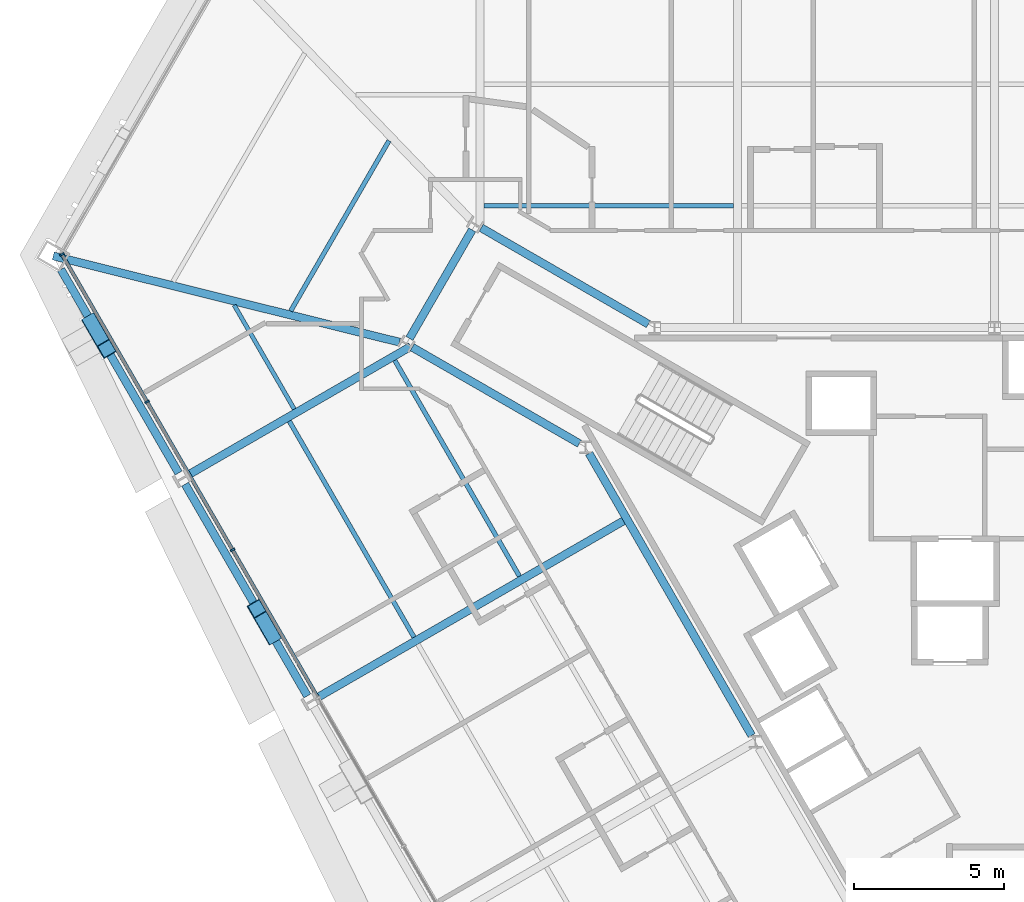
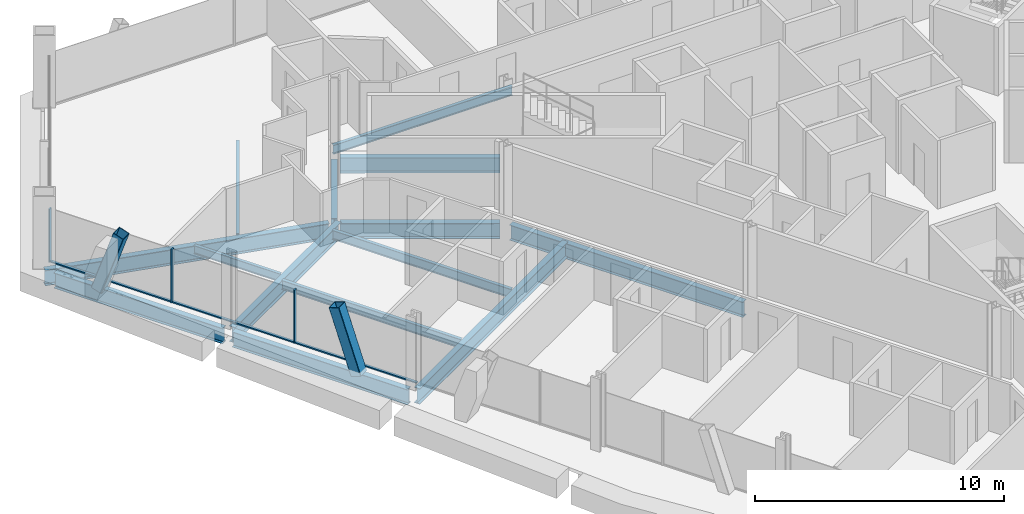
# One storey, part 7 of 20: 14 beams, 8 members, 1 element without a shape of its own.
"""IFC4 building model written with IfcOpenShell, lengths in metres."""

from ifc_helpers import new_model, si_unit, direction, frame, origin, origin_2d, place, context, subcontext, project, spatial, rectangle, hollow_rectangle, i_section, extrude, material, material_profile, profile_set, type_object, element, aggregate, save


model = new_model("IFC4")

# Units and contexts
model_context = context("Model", 3, precision=1e-05, world=origin(), true_north=direction((0.0, 1.0)))
body_context = subcontext(model_context, "Body", "Model", "MODEL_VIEW")
ifc_project = project(units=[si_unit("LENGTHUNIT", "METRE"), si_unit("AREAUNIT", "SQUARE_METRE"), si_unit("VOLUMEUNIT", "CUBIC_METRE"), si_unit("PLANEANGLEUNIT", "RADIAN"), si_unit("MASSUNIT", "GRAM", prefix="KILO")], contexts=[model_context])

# Site, building, storey
site_placement = place(None, origin())
site = spatial("IfcSite", under=ifc_project, at=site_placement, CompositionType="ELEMENT")
building_placement = place(site_placement, origin())
building = spatial("IfcBuilding", under=site, at=building_placement, Name="Verrane Prism Tower", CompositionType="ELEMENT")
storey_placement = place(building_placement, frame((0.0, 0.0, 69.199951171875)))
storey = spatial("IfcBuildingStorey", under=building, at=storey_placement, Name="L15", CompositionType="ELEMENT", Elevation=69.199951171875)

# Beams
ifc_material_1 = material(Name="Steel A992", Category="steel")
ifc_material_profile_1 = material_profile(ifc_material_1, i_section(OverallWidth=0.2666015625, OverallDepth=0.7568359375, WebThickness=0.013916015625, FlangeThickness=0.019287109375, FilletRadius=0.0166015625, at=origin_2d()), Name="W30x108")
ifc_profile_set_1 = profile_set([ifc_material_profile_1], Name="Steel A992")
beam_type_1 = type_object("IfcBeamType", Name="Core ring girder W30x108", PredefinedType="BEAM", material=ifc_profile_set_1)
beam_1_placement = place(storey_placement, frame((-11.533203125, 9.317138671875, -0.62841796875), z_axis=(-0.866447229751, 0.499268663203, 0.0), x_axis=(-0.499268663203, -0.866447229751, 0.0)))
element("IfcBeam", 1, at=beam_1_placement, inside=storey, type_object=beam_type_1, Name="Core ring girder L15", PredefinedType="BEAM", context=body_context, shape_type="SweptSolid", body=[
    extrude(i_section(OverallWidth=0.2666015625, OverallDepth=0.7568359375, WebThickness=0.013916015625, FlangeThickness=0.019287109375, FilletRadius=0.0166015625, at=origin_2d()), origin(), (0.0, 0.0, 1.0), 6.428466796875),
])
beam_2_placement = place(storey_placement, frame((-17.40478515625, 12.45849609375, -0.62841796875), z_axis=(-0.500349643494, -0.865823442888, 0.0), x_axis=(0.865823442888, -0.500349643494, 0.0)))
element("IfcBeam", 2, at=beam_2_placement, inside=storey, type_object=beam_type_1, Name="Core ring girder L15", PredefinedType="BEAM", context=body_context, shape_type="SweptSolid", body=[
    extrude(i_section(OverallWidth=0.2666015625, OverallDepth=0.7568359375, WebThickness=0.013916015625, FlangeThickness=0.019287109375, FilletRadius=0.0166015625, at=origin_2d()), origin(), (0.0, 0.0, 1.0), 4.177734375),
])
beam_3_placement = place(storey_placement, frame((-19.403076171875, 8.54638671875, -0.62841796875), z_axis=(0.86646365882, -0.499240150574, 0.0), x_axis=(0.499240150574, 0.86646365882, 0.0)))
element("IfcBeam", 3, at=beam_3_placement, inside=storey, type_object=beam_type_1, Name="Core ring girder L15", PredefinedType="BEAM", context=body_context, shape_type="SweptSolid", body=[
    extrude(i_section(OverallWidth=0.2666015625, OverallDepth=0.7568359375, WebThickness=0.013916015625, FlangeThickness=0.019287109375, FilletRadius=0.0166015625, at=origin_2d()), origin(), (0.0, 0.0, 1.0), 6.42822265625),
])
beam_4_placement = place(storey_placement, frame((-13.510009765625, 5.01171875, -0.62841796875), z_axis=(0.499371892062, -0.866387738498, 0.0), x_axis=(0.866387738498, 0.499371892062, 0.0)))
element("IfcBeam", 4, at=beam_4_placement, inside=storey, type_object=beam_type_1, Name="Core ring girder L15", PredefinedType="BEAM", context=body_context, shape_type="SweptSolid", body=[
    extrude(i_section(OverallWidth=0.2666015625, OverallDepth=0.7568359375, WebThickness=0.013916015625, FlangeThickness=0.019287109375, FilletRadius=0.0166015625, at=origin_2d()), origin(), (0.0, 0.0, 1.0), 10.853515625),
])
ifc_material_2 = material(Name="Steel A992", Category="steel")
ifc_material_profile_2 = material_profile(ifc_material_2, i_section(OverallWidth=0.2666015625, OverallDepth=0.76708984375, WebThickness=0.014892578125, FlangeThickness=0.023681640625, FilletRadius=0.0166015625, at=origin_2d()), Name="W30x124")
ifc_profile_set_2 = profile_set([ifc_material_profile_2], Name="Steel A992")
beam_type_2 = type_object("IfcBeamType", Name="Corner girder W30x124", PredefinedType="BEAM", material=ifc_profile_set_2)
beam_5_placement = place(storey_placement, frame((-31.3671875, 11.58935546875, -0.603515625), z_axis=(0.970381185605, -0.24157887868, 0.0), x_axis=(0.24157887868, 0.970381185605, 0.0)))
element("IfcBeam", 5, at=beam_5_placement, inside=storey, type_object=beam_type_2, Name="Corner girder L15", PredefinedType="BEAM", context=body_context, shape_type="SweptSolid", body=[
    extrude(i_section(OverallWidth=0.2666015625, OverallDepth=0.76708984375, WebThickness=0.014892578125, FlangeThickness=0.023681640625, FilletRadius=0.0166015625, at=origin_2d()), origin(), (0.0, 0.0, 1.0), 11.8896484375),
])

# Members
ifc_material_3 = material(Name="Steel A1085 Grade A", Category="steel")
ifc_material_profile_3 = material_profile(ifc_material_3, hollow_rectangle(XDim=0.508056640625, YDim=0.508056640625, WallThickness=0.025390625, InnerFilletRadius=0.0126953125, OuterFilletRadius=0.0380859375, at=origin_2d()), Name="HSS20x20x1")
ifc_profile_set_3 = profile_set([ifc_material_profile_3], Name="Steel A1085 Grade A")
member_type_1 = type_object("IfcMemberType", Name="Facade brace HSS20x20x1", PredefinedType="BRACE", material=ifc_profile_set_3)
member_1_placement = place(storey_placement, frame((-30.093994140625, 9.3828125, -0.242431640625), z_axis=(0.161207751603, -0.278771078559, 0.946730556485), x_axis=(0.865676668203, 0.500603541866, 0.0)))
element("IfcMember", 6, at=member_1_placement, inside=storey, type_object=member_type_1, Name="Facade brace SW0 L15", PredefinedType="BRACE", context=body_context, shape_type="SweptSolid", body=[
    extrude(hollow_rectangle(XDim=0.508056640625, YDim=0.508056640625, WallThickness=0.025390625, InnerFilletRadius=0.0126953125, OuterFilletRadius=0.0380859375, at=origin_2d()), origin(), (0.0, 0.0, 1.0), 3.17724609375),
])
member_2_placement = place(storey_placement, frame((-24.066162109375, -1.0498046875, -0.242431640625), z_axis=(-0.161119095998, 0.279057966936, 0.946661126272), x_axis=(-0.866018814177, -0.500011413361, 0.0)))
element("IfcMember", 7, at=member_2_placement, inside=storey, type_object=member_type_1, Name="Facade brace SW1 L15", PredefinedType="BRACE", context=body_context, shape_type="SweptSolid", body=[
    extrude(hollow_rectangle(XDim=0.508056640625, YDim=0.508056640625, WallThickness=0.025390625, InnerFilletRadius=0.0126953125, OuterFilletRadius=0.0380859375, at=origin_2d()), origin(), (0.0, 0.0, 1.0), 3.177490234375),
])

# Beams
ifc_material_4 = material(Name="Steel A992", Category="steel")
ifc_material_profile_4 = material_profile(ifc_material_4, i_section(OverallWidth=0.140380859375, OverallDepth=0.40380859375, WebThickness=0.007080078125, FlangeThickness=0.01123046875, FilletRadius=0.01025390625, at=origin_2d()), Name="W16x31")
ifc_profile_set_4 = profile_set([ifc_material_profile_4], Name="Steel A992")
beam_type_3 = type_object("IfcBeamType", Name="Floor beam W16x31", PredefinedType="BEAM", material=ifc_profile_set_4)
beam_6_placement = place(storey_placement, frame((-23.333984375, 6.484375, -0.36181640625), z_axis=(-0.499997052475, 0.866027105532, 0.0), x_axis=(-0.866027105532, -0.499997052475, 0.0)))
element("IfcBeam", 8, at=beam_6_placement, inside=storey, type_object=beam_type_3, Name="Floor beam L15", PredefinedType="BEAM", context=body_context, shape_type="SweptSolid", body=[
    extrude(i_section(OverallWidth=0.140380859375, OverallDepth=0.40380859375, WebThickness=0.007080078125, FlangeThickness=0.01123046875, FilletRadius=0.01025390625, at=origin_2d()), origin(), (0.0, 0.0, 1.0), 4.001953125),
])
ifc_material_5 = material(Name="Steel A992", Category="steel")
ifc_material_profile_5 = material_profile(ifc_material_5, i_section(OverallWidth=0.15234375, OverallDepth=0.449462890625, WebThickness=0.007568359375, FlangeThickness=0.0107421875, FilletRadius=0.01025390625, at=origin_2d()), Name="W18x35")
ifc_profile_set_5 = profile_set([ifc_material_profile_5], Name="Steel A992")
beam_type_4 = type_object("IfcBeamType", Name="Floor beam W18x35", PredefinedType="BEAM", material=ifc_profile_set_5)
beam_7_placement = place(storey_placement, frame((-17.0166015625, 13.256591796875, -0.384765625), z_axis=(1.0, 0.0, 0.0), x_axis=(0.0, 1.0, 0.0)))
element("IfcBeam", 9, at=beam_7_placement, inside=storey, type_object=beam_type_4, Name="Floor beam L15", PredefinedType="BEAM", context=body_context, shape_type="SweptSolid", body=[
    extrude(i_section(OverallWidth=0.15234375, OverallDepth=0.449462890625, WebThickness=0.007568359375, FlangeThickness=0.0107421875, FilletRadius=0.01025390625, at=origin_2d()), origin(), (0.0, 0.0, 1.0), 8.31298828125),
])
beam_8_placement = place(storey_placement, frame((-15.830078125, 0.91552734375, -0.384765625), z_axis=(-0.500002345008, 0.866024049889, 0.0), x_axis=(-0.866024049889, -0.500002345008, 0.0)))
element("IfcBeam", 10, at=beam_8_placement, inside=storey, type_object=beam_type_4, Name="Floor beam L15", PredefinedType="BEAM", context=body_context, shape_type="SweptSolid", body=[
    extrude(i_section(OverallWidth=0.15234375, OverallDepth=0.449462890625, WebThickness=0.007568359375, FlangeThickness=0.0107421875, FilletRadius=0.01025390625, at=origin_2d()), origin(), (0.0, 0.0, 1.0), 8.3056640625),
])
beam_9_placement = place(storey_placement, frame((-19.343505859375, -1.114501953125, -0.384765625), z_axis=(-0.499991203388, 0.866030482451, 0.0), x_axis=(-0.866030482451, -0.499991203388, 0.0)))
element("IfcBeam", 11, at=beam_9_placement, inside=storey, type_object=beam_type_4, Name="Floor beam L15", PredefinedType="BEAM", context=body_context, shape_type="SweptSolid", body=[
    extrude(i_section(OverallWidth=0.15234375, OverallDepth=0.449462890625, WebThickness=0.007568359375, FlangeThickness=0.0107421875, FilletRadius=0.01025390625, at=origin_2d()), origin(), (0.0, 0.0, 1.0), 8.309326171875),
])
beam_10_placement = place(storey_placement, frame((-23.45263671875, 9.756591796875, -0.384765625), z_axis=(0.499982664585, 0.86603541216, 0.0), x_axis=(-0.86603541216, 0.499982664585, 0.0)))
element("IfcBeam", 12, at=beam_10_placement, inside=storey, type_object=beam_type_4, Name="Floor beam L15", PredefinedType="BEAM", context=body_context, shape_type="SweptSolid", body=[
    extrude(i_section(OverallWidth=0.15234375, OverallDepth=0.449462890625, WebThickness=0.007568359375, FlangeThickness=0.0107421875, FilletRadius=0.01025390625, at=origin_2d()), origin(), (0.0, 0.0, 1.0), 6.551513671875),
])

# Curtain wall, members
ifc_material_6 = material(Name="Aluminium framed insulated glazing", Category="aluminium")
curtain_wall_type = type_object("IfcCurtainWallType", Name="Curtain wall CW-B 5600 module", PredefinedType="NOTDEFINED", material=ifc_material_6)
curtain_wall_placement = place(storey_placement, origin())
curtain_wall = element("IfcCurtainWall", 13, at=curtain_wall_placement, inside=storey, type_object=curtain_wall_type, Name="Glazed curtain wall south-west face L15", PredefinedType="NOTDEFINED")
ifc_material_7 = material(Name="Aluminium alloy 6063-T6", Category="aluminium")
ifc_material_profile_6 = material_profile(ifc_material_7, rectangle(XDim=0.159912109375, YDim=0.06005859375, at=origin_2d()), Name="Mullion 60x160 aluminium")
ifc_profile_set_6 = profile_set([ifc_material_profile_6], Name="Aluminium alloy 6063-T6")
member_type_2 = type_object("IfcMemberType", Name="Mullion 60x160 aluminium", PredefinedType="MULLION", material=ifc_profile_set_6)
member_3_placement = place(storey_placement, frame((-31.07470703125, 11.64111328125, 0.0), z_axis=(0.0, 0.0, 1.0), x_axis=(0.866025283147, 0.50000020895, 0.0)))
member_3 = element("IfcMember", 14, at=member_3_placement, type_object=member_type_2, Name="CW14.4 mullion 1", PredefinedType="MULLION", context=body_context, shape_type="SweptSolid", body=[
    extrude(rectangle(XDim=0.159912109375, YDim=0.06005859375, at=origin_2d()), origin(), (0.0, 0.0, 1.0), 2.613037109375),
])
member_4_placement = place(storey_placement, frame((-28.23974609375, 6.73095703125, 0.0), z_axis=(0.0, 0.0, 1.0), x_axis=(0.866025283147, 0.50000020895, 0.0)))
member_4 = element("IfcMember", 15, at=member_4_placement, type_object=member_type_2, Name="CW14.4 mullion 2", PredefinedType="MULLION", context=body_context, shape_type="SweptSolid", body=[
    extrude(rectangle(XDim=0.159912109375, YDim=0.06005859375, at=origin_2d()), origin(), (0.0, 0.0, 1.0), 2.613037109375),
])
member_5_placement = place(storey_placement, frame((-25.389892578125, 1.794677734375, 0.0), z_axis=(0.0, 0.0, 1.0), x_axis=(0.866025283147, 0.50000020895, 0.0)))
member_5 = element("IfcMember", 16, at=member_5_placement, type_object=member_type_2, Name="CW14.4 mullion 3", PredefinedType="MULLION", context=body_context, shape_type="SweptSolid", body=[
    extrude(rectangle(XDim=0.159912109375, YDim=0.06005859375, at=origin_2d()), origin(), (0.0, 0.0, 1.0), 2.613037109375),
])

# Beams
ifc_material_8 = material(Name="Steel A992", Category="steel")
ifc_material_profile_7 = material_profile(ifc_material_8, i_section(OverallWidth=0.2666015625, OverallDepth=0.76708984375, WebThickness=0.014892578125, FlangeThickness=0.023681640625, FilletRadius=0.0166015625, at=origin_2d()), Name="W30x124")
ifc_profile_set_7 = profile_set([ifc_material_profile_7], Name="Steel A992")
beam_type_5 = type_object("IfcBeamType", Name="Radial girder W30x124", PredefinedType="BEAM", material=ifc_profile_set_7)
beam_11_placement = place(storey_placement, frame((-26.864501953125, 4.29443359375, -0.603515625), z_axis=(0.866021248858, 0.500007196474, 0.0), x_axis=(-0.500007196474, 0.866021248858, 0.0)))
element("IfcBeam", 17, at=beam_11_placement, inside=storey, type_object=beam_type_5, Name="Radial girder L15", PredefinedType="BEAM", context=body_context, shape_type="SweptSolid", body=[
    extrude(i_section(OverallWidth=0.2666015625, OverallDepth=0.76708984375, WebThickness=0.014892578125, FlangeThickness=0.023681640625, FilletRadius=0.0166015625, at=origin_2d()), origin(), (0.0, 0.0, 1.0), 8.559814453125),
])
beam_12_placement = place(storey_placement, frame((-22.574462890625, -3.135498046875, -0.603515625), z_axis=(0.866026670785, 0.499997805483, 0.0), x_axis=(-0.499997805483, 0.866026670785, 0.0)))
element("IfcBeam", 18, at=beam_12_placement, inside=storey, type_object=beam_type_5, Name="Radial girder L15", PredefinedType="BEAM", context=body_context, shape_type="SweptSolid", body=[
    extrude(i_section(OverallWidth=0.2666015625, OverallDepth=0.76708984375, WebThickness=0.014892578125, FlangeThickness=0.023681640625, FilletRadius=0.0166015625, at=origin_2d()), origin(), (0.0, 0.0, 1.0), 11.921875),
])
ifc_material_9 = material(Name="Steel A992", Category="steel")
ifc_material_profile_8 = material_profile(ifc_material_9, i_section(OverallWidth=0.2666015625, OverallDepth=0.7568359375, WebThickness=0.013916015625, FlangeThickness=0.019287109375, FilletRadius=0.0166015625, at=origin_2d()), Name="W30x108")
ifc_profile_set_8 = profile_set([ifc_material_profile_8], Name="Steel A992")
beam_type_6 = type_object("IfcBeamType", Name="Spandrel beam W30x108", PredefinedType="SPANDREL", material=ifc_profile_set_8)
beam_13_placement = place(storey_placement, frame((-31.110107421875, 11.140380859375, -0.538330078125), z_axis=(0.50054491005, -0.865710571163, 0.0), x_axis=(0.865710571163, 0.50054491005, 0.0)))
element("IfcBeam", 19, at=beam_13_placement, inside=storey, type_object=beam_type_6, Name="Spandrel beam L15", PredefinedType="SPANDREL", context=body_context, shape_type="SweptSolid", body=[
    extrude(i_section(OverallWidth=0.2666015625, OverallDepth=0.7568359375, WebThickness=0.013916015625, FlangeThickness=0.019287109375, FilletRadius=0.0166015625, at=origin_2d()), origin(), (0.0, 0.0, 1.0), 7.835693359375),
])
beam_14_placement = place(storey_placement, frame((-26.971923828125, 3.98291015625, -0.538330078125), z_axis=(0.500022470507, -0.866012430043, 0.0), x_axis=(0.866012430043, 0.500022470507, 0.0)))
element("IfcBeam", 20, at=beam_14_placement, inside=storey, type_object=beam_type_6, Name="Spandrel beam L15", PredefinedType="SPANDREL", context=body_context, shape_type="SweptSolid", body=[
    extrude(i_section(OverallWidth=0.2666015625, OverallDepth=0.7568359375, WebThickness=0.013916015625, FlangeThickness=0.019287109375, FilletRadius=0.0166015625, at=origin_2d()), origin(), (0.0, 0.0, 1.0), 8.147705078125),
])

# Member
ifc_material_10 = material(Name="Aluminium alloy 6063-T6", Category="aluminium")
ifc_material_profile_9 = material_profile(ifc_material_10, rectangle(XDim=0.1201171875, YDim=0.06005859375, at=origin_2d()), Name="Transom 60x120 aluminium")
ifc_profile_set_9 = profile_set([ifc_material_profile_9], Name="Aluminium alloy 6063-T6")
member_type_3 = type_object("IfcMemberType", Name="Transom 60x120 aluminium", PredefinedType="USERDEFINED", material=ifc_profile_set_9)
member_6_placement = place(storey_placement, frame((-31.059814453125, 11.614990234375, 0.030029296875), z_axis=(0.500010020406, -0.866019618423, 0.0), x_axis=(0.866019618423, 0.500010020406, 0.0)))
member_6 = element("IfcMember", 21, at=member_6_placement, type_object=member_type_3, Name="CW14.4 transom 1", ObjectType="TRANSOM", PredefinedType="USERDEFINED", context=body_context, shape_type="SweptSolid", body=[
    extrude(rectangle(XDim=0.1201171875, YDim=0.06005859375, at=origin_2d()), origin(), (0.0, 0.0, 1.0), 5.60986328125),
])

member_7_placement = place(storey_placement, frame((-28.224853515625, 6.704833984375, 0.030029296875), z_axis=(0.500003502126, -0.866023381821, 0.0), x_axis=(0.866023381821, 0.500003502126, 0.0)))
member_7 = element("IfcMember", 22, at=member_7_placement, type_object=member_type_3, Name="CW14.4 transom 2", ObjectType="TRANSOM", PredefinedType="USERDEFINED", context=body_context, shape_type="SweptSolid", body=[
    extrude(rectangle(XDim=0.1201171875, YDim=0.06005859375, at=origin_2d()), origin(), (0.0, 0.0, 1.0), 5.6396484375),
])

member_8_placement = place(storey_placement, frame((-25.375, 1.768798828125, 0.030029296875), z_axis=(0.500003502126, -0.866023381821, 0.0), x_axis=(0.866023381821, 0.500003502126, 0.0)))
member_8 = element("IfcMember", 23, at=member_8_placement, type_object=member_type_3, Name="CW14.4 transom 3", ObjectType="TRANSOM", PredefinedType="USERDEFINED", context=body_context, shape_type="SweptSolid", body=[
    extrude(rectangle(XDim=0.1201171875, YDim=0.06005859375, at=origin_2d()), origin(), (0.0, 0.0, 1.0), 5.6396484375),
])

aggregate(curtain_wall, [member_3, member_4, member_5, member_6, member_7, member_8])

save(model, "model.ifc")
